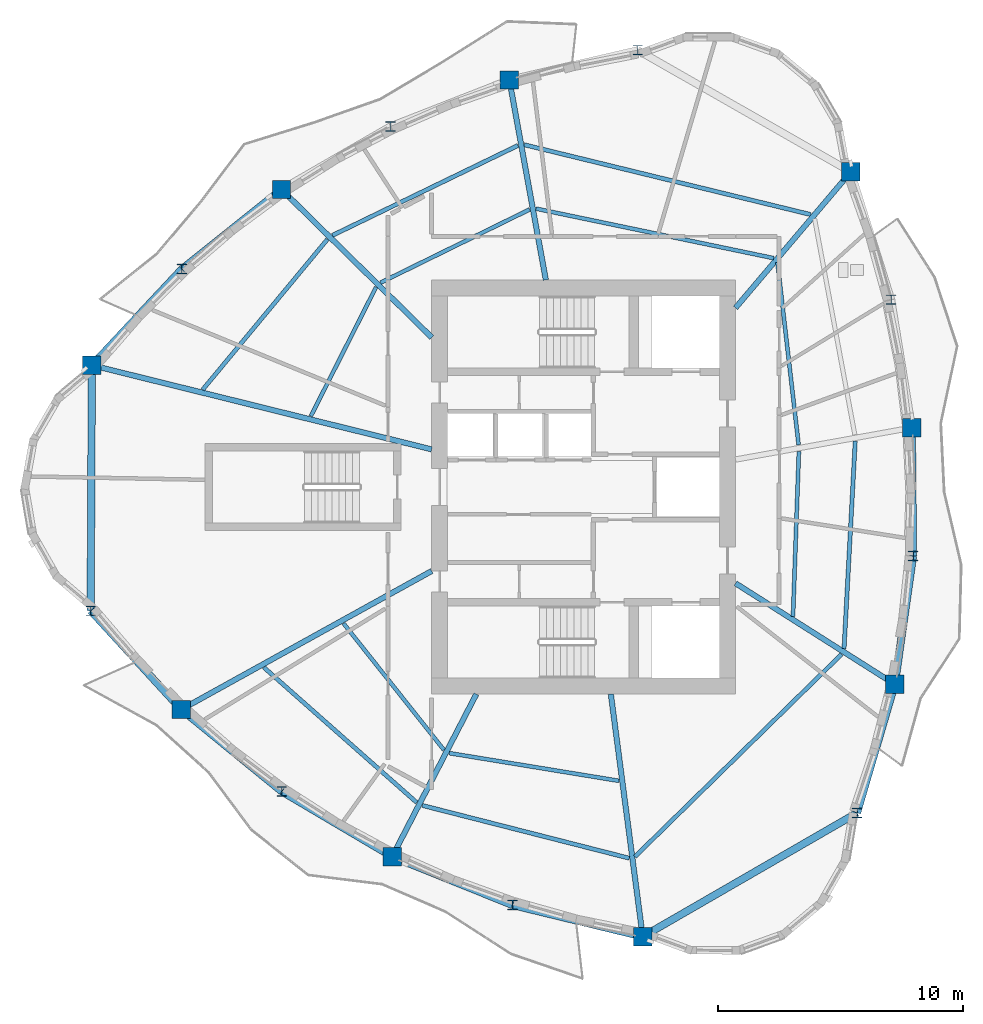
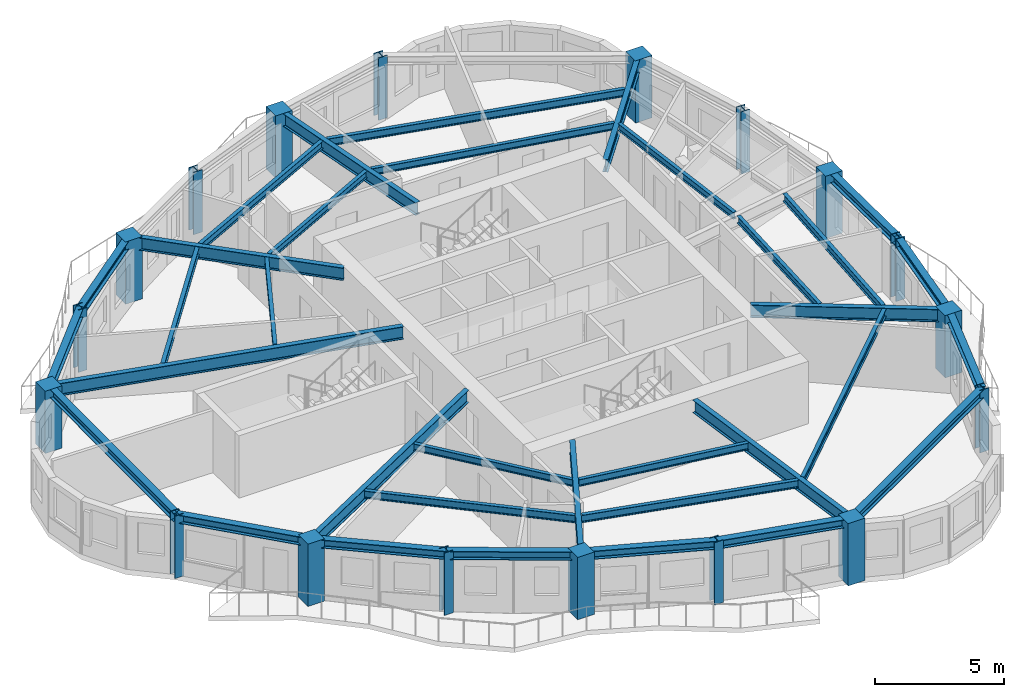
# One storey, part 1 of 12: 34 beams, 18 columns.
"""IFC4 building model written with IfcOpenShell, lengths in metres."""

from ifc_helpers import new_model, si_unit, direction, frame, origin, origin_2d, place, context, subcontext, project, spatial, rectangle, i_section, extrude, source, transform, mapped, material, material_profile, profile_set, type_object, element, save


model = new_model("IFC4")

# Units and contexts
model_context = context("Model", 3, precision=1e-05, world=origin(), true_north=direction((0.0, 1.0)))
body_context = subcontext(model_context, "Body", "Model", "MODEL_VIEW")
ifc_project = project(units=[si_unit("LENGTHUNIT", "METRE"), si_unit("AREAUNIT", "SQUARE_METRE"), si_unit("VOLUMEUNIT", "CUBIC_METRE"), si_unit("PLANEANGLEUNIT", "RADIAN"), si_unit("MASSUNIT", "GRAM", prefix="KILO")], contexts=[model_context])

# Site, building, storey
site_placement = place(None, origin())
site = spatial("IfcSite", under=ifc_project, at=site_placement, CompositionType="ELEMENT")
building_placement = place(site_placement, origin())
building = spatial("IfcBuilding", under=site, at=building_placement, Name="Qafzar Sky-Pleat Residences", CompositionType="ELEMENT")
storey_placement = place(building_placement, frame((0.0, 0.0, 177.800048828125)))
storey = spatial("IfcBuildingStorey", under=building, at=storey_placement, Name="L53", CompositionType="ELEMENT", Elevation=177.800048828125)

# Columns
ifc_material_1 = material(Name="Concrete C60/75", Category="concrete")
ifc_material_profile_1 = material_profile(ifc_material_1, rectangle(XDim=0.75, YDim=0.75, at=origin_2d()), Name="RC 750x750")
ifc_profile_set_1 = profile_set([ifc_material_profile_1], Name="Concrete C60/75")
column_type_1 = type_object("IfcColumnType", Name="COL-RC-750", PredefinedType="COLUMN", material=ifc_profile_set_1)
shared_shape_1 = source(origin(), body_context, "Body", "SweptSolid", [
    extrude(rectangle(XDim=0.75, YDim=0.75, at=origin_2d()), origin(), (0.0, 0.0, 1.0), 2.949951171875),
])
for number, where, z_axis, x_axis, name in (
    (1, (10.283203125, 30.967041015625, 0.0), (0.0, 0.0, 1.0), (1.0, 0.0, 0.0), "L53 Perimeter Mega Column 1"),
    (2, (13.931640625, 16.920166015625, 0.0), (0.0, 0.0, 1.0), (1.0, 0.0, 0.0), "L53 Perimeter Mega Column 3"),
    (3, (22.5380859375, 10.91552734375, 0.0), (0.0, 0.0, 1.0), (1.0, 0.0, 0.0), "L53 Perimeter Mega Column 5"),
    (4, (32.761962890625, 7.650390625, 0.0), (0.0, 0.0, 1.0), (1.0, 0.0, 0.0), "L53 Perimeter Mega Column 7"),
    (5, (43.050048828125, 17.948486328125, 0.0), (0.0, 0.0, 1.0), (1.0, 0.0, 0.0), "L53 Perimeter Mega Column 9"),
    (6, (43.74365234375, 28.419677734375, 0.0), (0.0, 0.0, 1.0), (1.0, 0.0, 0.0), "L53 Perimeter Mega Column 11"),
    (7, (41.25634765625, 38.860107421875, 0.0), (0.0, 0.0, 1.0), (1.0, 0.0, 0.0), "L53 Perimeter Mega Column 13"),
    (8, (27.320068359375, 42.60888671875, 0.0), (0.0, 0.0, 1.0), (1.0, 0.0, 0.0), "L53 Perimeter Mega Column 15"),
    (9, (18.02001953125, 38.142333984375, 0.0), (0.0, 0.0, 1.0), (1.0, 0.0, 0.0), "L53 Perimeter Mega Column 17"),
):
    element("IfcColumn", number, at=place(storey_placement, frame(where, z_axis=z_axis, x_axis=x_axis)), inside=storey, type_object=column_type_1, Name=name, PredefinedType="COLUMN", context=body_context, shape_type="MappedRepresentation", body=[
        mapped(shared_shape_1, transform((0.0, 0.0, 0.0), x_axis=(1.0, 0.0, 0.0), y_axis=(0.0, 1.0, 0.0), z_axis=(0.0, 0.0, 1.0), scale=1.0)),
    ])
ifc_material_2 = material(Name="Steel S355", Category="steel")
ifc_material_profile_2 = material_profile(ifc_material_2, i_section(OverallWidth=0.40087890625, OverallDepth=0.39892578125, WebThickness=0.02294921875, FlangeThickness=0.035888671875, FilletRadius=0.014892578125, at=origin_2d()), Name="HD 400x314")
ifc_profile_set_2 = profile_set([ifc_material_profile_2], Name="Steel S355")
column_type_2 = type_object("IfcColumnType", Name="COL-STL-HD314", PredefinedType="PILASTER", material=ifc_profile_set_2)
shared_shape_2 = source(origin(), body_context, "Body", "SweptSolid", [
    extrude(i_section(OverallWidth=0.40087890625, OverallDepth=0.39892578125, WebThickness=0.02294921875, FlangeThickness=0.035888671875, FilletRadius=0.014892578125, at=origin_2d()), origin(), (0.0, 0.0, 1.0), 2.949951171875),
])
for number, where, z_axis, x_axis, name in (
    (10, (10.234619140625, 20.94970703125, 0.0), (0.0, 0.0, 1.0), (1.0, 0.0, 0.0), "L53 Perimeter Mega Column 2"),
    (11, (18.03271484375, 13.575439453125, 0.0), (0.0, 0.0, 1.0), (1.0, 0.0, 0.0), "L53 Perimeter Mega Column 4"),
    (12, (27.447998046875, 8.940673828125, 0.0), (0.0, 0.0, 1.0), (1.0, 0.0, 0.0), "L53 Perimeter Mega Column 6"),
    (13, (41.51025390625, 12.701171875, 0.0), (0.0, 0.0, 1.0), (1.0, 0.0, 0.0), "L53 Perimeter Mega Column 8"),
    (14, (43.79443359375, 23.18798828125, 0.0), (0.0, 0.0, 1.0), (1.0, 0.0, 0.0), "L53 Perimeter Mega Column 10"),
    (15, (42.897705078125, 33.643798828125, 0.0), (0.0, 0.0, 1.0), (1.0, 0.0, 0.0), "L53 Perimeter Mega Column 12"),
    (16, (32.556640625, 43.82666015625, 0.0), (0.0, 0.0, 1.0), (1.0, 0.0, 0.0), "L53 Perimeter Mega Column 14"),
    (17, (22.474609375, 40.714111328125, 0.0), (0.0, 0.0, 1.0), (1.0, 0.0, 0.0), "L53 Perimeter Mega Column 16"),
    (18, (13.9560546875, 34.893310546875, 0.0), (0.0, 0.0, 1.0), (1.0, 0.0, 0.0), "L53 Perimeter Mega Column 18"),
):
    element("IfcColumn", number, at=place(storey_placement, frame(where, z_axis=z_axis, x_axis=x_axis)), inside=storey, type_object=column_type_2, Name=name, PredefinedType="PILASTER", context=body_context, shape_type="MappedRepresentation", body=[
        mapped(shared_shape_2, transform((0.0, 0.0, 0.0), x_axis=(1.0, 0.0, 0.0), y_axis=(0.0, 1.0, 0.0), z_axis=(0.0, 0.0, 1.0), scale=1.0)),
    ])

# Beams
ifc_material_profile_3 = material_profile(ifc_material_2, i_section(OverallWidth=0.300048828125, OverallDepth=0.39990234375, WebThickness=0.013427734375, FlangeThickness=0.02392578125, FilletRadius=0.027099609375, at=origin_2d()), Name="HEB 400")
ifc_profile_set_3 = profile_set([ifc_material_profile_3], Name="Steel S355")
beam_type_1 = type_object("IfcBeamType", Name="BM-SPAN-HEB400", PredefinedType="SPANDREL", material=ifc_profile_set_3)
shared_shape_3 = source(origin(), body_context, "Body", "SweptSolid", [
    extrude(i_section(OverallWidth=0.300048828125, OverallDepth=0.39990234375, WebThickness=0.013427734375, FlangeThickness=0.02392578125, FilletRadius=0.027099609375, at=origin_2d()), origin(), (0.0, 0.0, 1.0), 10.1015625),
])
beam_1_placement = place(storey_placement, frame((32.761962890625, 7.650390625, 2.748046875), z_axis=(0.866027415153, 0.499996516191, 0.0), x_axis=(-0.499996516191, 0.866027415153, 0.0)))
element("IfcBeam", 19, at=beam_1_placement, inside=storey, type_object=beam_type_1, Name="L53 Perimeter Spandrel Beam 7", PredefinedType="SPANDREL", context=body_context, shape_type="MappedRepresentation", body=[
    mapped(shared_shape_3, transform((0.0, 0.0, 0.0), x_axis=(1.0, 0.0, 0.0), y_axis=(0.0, 1.0, 0.0), z_axis=(0.0, 0.0, 1.0), scale=1.0)),
])
shared_shape_4 = source(origin(), body_context, "Body", "SweptSolid", [
    extrude(i_section(OverallWidth=0.300048828125, OverallDepth=0.39990234375, WebThickness=0.013427734375, FlangeThickness=0.02392578125, FilletRadius=0.027099609375, at=origin_2d()), origin(), (0.0, 0.0, 1.0), 10.017333984375),
])
beam_2_placement = place(storey_placement, frame((10.283203125, 30.967041015625, 2.748046875), z_axis=(-0.004849934429, -0.999988238999, 0.0), x_axis=(0.999988238999, -0.004849934429, 0.0)))
element("IfcBeam", 20, at=beam_2_placement, inside=storey, type_object=beam_type_1, Name="L53 Perimeter Spandrel Beam 1", PredefinedType="SPANDREL", context=body_context, shape_type="MappedRepresentation", body=[
    mapped(shared_shape_4, transform((0.0, 0.0, 0.0), x_axis=(1.0, 0.0, 0.0), y_axis=(0.0, 1.0, 0.0), z_axis=(0.0, 0.0, 1.0), scale=1.0)),
])
shared_shape_5 = source(origin(), body_context, "Body", "SweptSolid", [
    extrude(i_section(OverallWidth=0.300048828125, OverallDepth=0.39990234375, WebThickness=0.013427734375, FlangeThickness=0.02392578125, FilletRadius=0.027099609375, at=origin_2d()), origin(), (0.0, 0.0, 1.0), 5.468505859375),
])
for number, where, z_axis, x_axis, name in (
    (21, (10.234619140625, 20.94970703125, 2.748046875), (0.676050045545, -0.736855709022, 0.0), (0.736855709022, 0.676050045545, 0.0), "L53 Perimeter Spandrel Beam 2"),
    (22, (41.51025390625, 12.701171875, 2.748046875), (0.281571675808, 0.959540197898, 0.0), (-0.959540197898, 0.281571675808, 0.0), "L53 Perimeter Spandrel Beam 8"),
):
    element("IfcBeam", number, at=place(storey_placement, frame(where, z_axis=z_axis, x_axis=x_axis)), inside=storey, type_object=beam_type_1, Name=name, PredefinedType="SPANDREL", context=body_context, shape_type="MappedRepresentation", body=[
        mapped(shared_shape_5, transform((0.0, 0.0, 0.0), x_axis=(1.0, 0.0, 0.0), y_axis=(0.0, 1.0, 0.0), z_axis=(0.0, 0.0, 1.0), scale=1.0)),
    ])
shared_shape_6 = source(origin(), body_context, "Body", "SweptSolid", [
    extrude(i_section(OverallWidth=0.300048828125, OverallDepth=0.39990234375, WebThickness=0.013427734375, FlangeThickness=0.02392578125, FilletRadius=0.027099609375, at=origin_2d()), origin(), (0.0, 0.0, 1.0), 5.2919921875),
])
beam_3_placement = place(storey_placement, frame((13.931640625, 16.920166015625, 2.748046875), z_axis=(0.774947075878, -0.632026130463, 0.0), x_axis=(0.632026130463, 0.774947075878, 0.0)))
element("IfcBeam", 23, at=beam_3_placement, inside=storey, type_object=beam_type_1, Name="L53 Perimeter Spandrel Beam 3", PredefinedType="SPANDREL", context=body_context, shape_type="MappedRepresentation", body=[
    mapped(shared_shape_6, transform((0.0, 0.0, 0.0), x_axis=(1.0, 0.0, 0.0), y_axis=(0.0, 1.0, 0.0), z_axis=(0.0, 0.0, 1.0), scale=1.0)),
])
shared_shape_7 = source(origin(), body_context, "Body", "SweptSolid", [
    extrude(i_section(OverallWidth=0.300048828125, OverallDepth=0.39990234375, WebThickness=0.013427734375, FlangeThickness=0.02392578125, FilletRadius=0.027099609375, at=origin_2d()), origin(), (0.0, 0.0, 1.0), 5.23193359375),
])
for number, where, z_axis, x_axis, name in (
    (24, (18.03271484375, 13.575439453125, 2.748046875), (0.861123406865, -0.508395985575, 0.0), (0.508395985575, 0.861123406865, 0.0), "L53 Perimeter Spandrel Beam 4"),
    (25, (43.79443359375, 23.18798828125, 2.748046875), (-0.009706015319, 0.999952895524, 0.0), (-0.999952895524, -0.009706015319, 0.0), "L53 Perimeter Spandrel Beam 10"),
):
    element("IfcBeam", number, at=place(storey_placement, frame(where, z_axis=z_axis, x_axis=x_axis)), inside=storey, type_object=beam_type_1, Name=name, PredefinedType="SPANDREL", context=body_context, shape_type="MappedRepresentation", body=[
        mapped(shared_shape_7, transform((0.0, 0.0, 0.0), x_axis=(1.0, 0.0, 0.0), y_axis=(0.0, 1.0, 0.0), z_axis=(0.0, 0.0, 1.0), scale=1.0)),
    ])
shared_shape_8 = source(origin(), body_context, "Body", "SweptSolid", [
    extrude(i_section(OverallWidth=0.300048828125, OverallDepth=0.39990234375, WebThickness=0.013427734375, FlangeThickness=0.02392578125, FilletRadius=0.027099609375, at=origin_2d()), origin(), (0.0, 0.0, 1.0), 5.292236328125),
])
for number, where, z_axis, x_axis, name in (
    (26, (22.5380859375, 10.91552734375, 2.748046875), (0.927765514631, -0.373163703836, 0.0), (0.373163703836, 0.927765514631, 0.0), "L53 Perimeter Spandrel Beam 5"),
    (27, (43.050048828125, 17.948486328125, 2.748046875), (0.140659198893, 0.990058073937, 0.0), (-0.990058073937, 0.140659198893, 0.0), "L53 Perimeter Spandrel Beam 9"),
):
    element("IfcBeam", number, at=place(storey_placement, frame(where, z_axis=z_axis, x_axis=x_axis)), inside=storey, type_object=beam_type_1, Name=name, PredefinedType="SPANDREL", context=body_context, shape_type="MappedRepresentation", body=[
        mapped(shared_shape_8, transform((0.0, 0.0, 0.0), x_axis=(1.0, 0.0, 0.0), y_axis=(0.0, 1.0, 0.0), z_axis=(0.0, 0.0, 1.0), scale=1.0)),
    ])
shared_shape_9 = source(origin(), body_context, "Body", "SweptSolid", [
    extrude(i_section(OverallWidth=0.300048828125, OverallDepth=0.39990234375, WebThickness=0.013427734375, FlangeThickness=0.02392578125, FilletRadius=0.027099609375, at=origin_2d()), origin(), (0.0, 0.0, 1.0), 5.46826171875),
])
beam_4_placement = place(storey_placement, frame((27.447998046875, 8.940673828125, 2.748046875), z_axis=(0.971764234229, -0.235953963884, 0.0), x_axis=(0.235953963884, 0.971764234229, 0.0)))
element("IfcBeam", 28, at=beam_4_placement, inside=storey, type_object=beam_type_1, Name="L53 Perimeter Spandrel Beam 6", PredefinedType="SPANDREL", context=body_context, shape_type="MappedRepresentation", body=[
    mapped(shared_shape_9, transform((0.0, 0.0, 0.0), x_axis=(1.0, 0.0, 0.0), y_axis=(0.0, 1.0, 0.0), z_axis=(0.0, 0.0, 1.0), scale=1.0)),
])
shared_shape_10 = source(origin(), body_context, "Body", "SweptSolid", [
    extrude(i_section(OverallWidth=0.300048828125, OverallDepth=0.39990234375, WebThickness=0.013427734375, FlangeThickness=0.02392578125, FilletRadius=0.027099609375, at=origin_2d()), origin(), (0.0, 0.0, 1.0), 5.203125),
])
beam_5_placement = place(storey_placement, frame((18.02001953125, 38.142333984375, 2.748046875), z_axis=(-0.781070191817, -0.624443236375, 0.0), x_axis=(0.624443236375, -0.781070191817, 0.0)))
element("IfcBeam", 29, at=beam_5_placement, inside=storey, type_object=beam_type_1, Name="L53 Perimeter Spandrel Beam 17", PredefinedType="SPANDREL", context=body_context, shape_type="MappedRepresentation", body=[
    mapped(shared_shape_10, transform((0.0, 0.0, 0.0), x_axis=(1.0, 0.0, 0.0), y_axis=(0.0, 1.0, 0.0), z_axis=(0.0, 0.0, 1.0), scale=1.0)),
])
shared_shape_11 = source(origin(), body_context, "Body", "SweptSolid", [
    extrude(i_section(OverallWidth=0.300048828125, OverallDepth=0.39990234375, WebThickness=0.013427734375, FlangeThickness=0.02392578125, FilletRadius=0.027099609375, at=origin_2d()), origin(), (0.0, 0.0, 1.0), 5.37646484375),
])
beam_6_placement = place(storey_placement, frame((13.9560546875, 34.893310546875, 2.748046875), z_axis=(-0.683146192025, -0.730281644519, 0.0), x_axis=(0.730281644519, -0.683146192025, 0.0)))
element("IfcBeam", 30, at=beam_6_placement, inside=storey, type_object=beam_type_1, Name="L53 Perimeter Spandrel Beam 18", PredefinedType="SPANDREL", context=body_context, shape_type="MappedRepresentation", body=[
    mapped(shared_shape_11, transform((0.0, 0.0, 0.0), x_axis=(1.0, 0.0, 0.0), y_axis=(0.0, 1.0, 0.0), z_axis=(0.0, 0.0, 1.0), scale=1.0)),
])
ifc_material_profile_4 = material_profile(ifc_material_2, i_section(OverallWidth=0.219970703125, OverallDepth=0.60009765625, WebThickness=0.011962890625, FlangeThickness=0.01904296875, FilletRadius=0.02392578125, at=origin_2d()), Name="IPE 600")
ifc_profile_set_4 = profile_set([ifc_material_profile_4], Name="Steel S355")
beam_type_2 = type_object("IfcBeamType", Name="BM-SEC-IPE600", PredefinedType="BEAM", material=ifc_profile_set_4)
shared_shape_12 = source(origin(), body_context, "Body", "SweptSolid", [
    extrude(i_section(OverallWidth=0.219970703125, OverallDepth=0.60009765625, WebThickness=0.011962890625, FlangeThickness=0.01904296875, FilletRadius=0.02392578125, at=origin_2d()), origin(), (0.0, 0.0, 1.0), 14.28515625),
])
beam_7_placement = place(storey_placement, frame((10.283203125, 30.967041015625, 2.64794921875), z_axis=(0.97070485886, -0.24027500283, 0.0), x_axis=(0.24027500283, 0.97070485886, 0.0)))
element("IfcBeam", 31, at=beam_7_placement, inside=storey, type_object=beam_type_2, Name="L53 Radial Floor Girder 1", PredefinedType="BEAM", context=body_context, shape_type="MappedRepresentation", body=[
    mapped(shared_shape_12, transform((0.0, 0.0, 0.0), x_axis=(1.0, 0.0, 0.0), y_axis=(0.0, 1.0, 0.0), z_axis=(0.0, 0.0, 1.0), scale=1.0)),
])
shared_shape_13 = source(origin(), body_context, "Body", "SweptSolid", [
    extrude(i_section(OverallWidth=0.219970703125, OverallDepth=0.60009765625, WebThickness=0.011962890625, FlangeThickness=0.01904296875, FilletRadius=0.02392578125, at=origin_2d()), origin(), (0.0, 0.0, 1.0), 11.6767578125),
])
beam_8_placement = place(storey_placement, frame((13.931640625, 16.920166015625, 2.64794921875), z_axis=(0.875089622608, 0.483960899664, 0.0), x_axis=(-0.483960899664, 0.875089622608, 0.0)))
element("IfcBeam", 32, at=beam_8_placement, inside=storey, type_object=beam_type_2, Name="L53 Radial Floor Girder 3", PredefinedType="BEAM", context=body_context, shape_type="MappedRepresentation", body=[
    mapped(shared_shape_13, transform((0.0, 0.0, 0.0), x_axis=(1.0, 0.0, 0.0), y_axis=(0.0, 1.0, 0.0), z_axis=(0.0, 0.0, 1.0), scale=1.0)),
])
shared_shape_14 = source(origin(), body_context, "Body", "SweptSolid", [
    extrude(i_section(OverallWidth=0.219970703125, OverallDepth=0.60009765625, WebThickness=0.011962890625, FlangeThickness=0.01904296875, FilletRadius=0.02392578125, at=origin_2d()), origin(), (0.0, 0.0, 1.0), 7.471435546875),
])
beam_9_placement = place(storey_placement, frame((22.5380859375, 10.91552734375, 2.64794921875), z_axis=(0.459885995206, 0.887977967865, 0.0), x_axis=(-0.887977967865, 0.459885995206, 0.0)))
element("IfcBeam", 33, at=beam_9_placement, inside=storey, type_object=beam_type_2, Name="L53 Radial Floor Girder 5", PredefinedType="BEAM", context=body_context, shape_type="MappedRepresentation", body=[
    mapped(shared_shape_14, transform((0.0, 0.0, 0.0), x_axis=(1.0, 0.0, 0.0), y_axis=(0.0, 1.0, 0.0), z_axis=(0.0, 0.0, 1.0), scale=1.0)),
])
shared_shape_15 = source(origin(), body_context, "Body", "SweptSolid", [
    extrude(i_section(OverallWidth=0.219970703125, OverallDepth=0.60009765625, WebThickness=0.011962890625, FlangeThickness=0.01904296875, FilletRadius=0.02392578125, at=origin_2d()), origin(), (0.0, 0.0, 1.0), 9.98486328125),
])
beam_10_placement = place(storey_placement, frame((32.761962890625, 7.650390625, 2.64794921875), z_axis=(-0.13032484857, 0.99147134797, 0.0), x_axis=(-0.99147134797, -0.13032484857, 0.0)))
element("IfcBeam", 34, at=beam_10_placement, inside=storey, type_object=beam_type_2, Name="L53 Radial Floor Girder 7", PredefinedType="BEAM", context=body_context, shape_type="MappedRepresentation", body=[
    mapped(shared_shape_15, transform((0.0, 0.0, 0.0), x_axis=(1.0, 0.0, 0.0), y_axis=(0.0, 1.0, 0.0), z_axis=(0.0, 0.0, 1.0), scale=1.0)),
])
shared_shape_16 = source(origin(), body_context, "Body", "SweptSolid", [
    extrude(i_section(OverallWidth=0.219970703125, OverallDepth=0.60009765625, WebThickness=0.011962890625, FlangeThickness=0.01904296875, FilletRadius=0.02392578125, at=origin_2d()), origin(), (0.0, 0.0, 1.0), 7.6962890625),
])
beam_11_placement = place(storey_placement, frame((43.050048828125, 17.948486328125, 2.64794921875), z_axis=(-0.844573308828, 0.535439936888, 0.0), x_axis=(-0.535439936888, -0.844573308828, 0.0)))
element("IfcBeam", 35, at=beam_11_placement, inside=storey, type_object=beam_type_2, Name="L53 Radial Floor Girder 9", PredefinedType="BEAM", context=body_context, shape_type="MappedRepresentation", body=[
    mapped(shared_shape_16, transform((0.0, 0.0, 0.0), x_axis=(1.0, 0.0, 0.0), y_axis=(0.0, 1.0, 0.0), z_axis=(0.0, 0.0, 1.0), scale=1.0)),
])
shared_shape_17 = source(origin(), body_context, "Body", "SweptSolid", [
    extrude(i_section(OverallWidth=0.219970703125, OverallDepth=0.60009765625, WebThickness=0.011962890625, FlangeThickness=0.01904296875, FilletRadius=0.02392578125, at=origin_2d()), origin(), (0.0, 0.0, 1.0), 7.2763671875),
])
beam_12_placement = place(storey_placement, frame((41.25634765625, 38.860107421875, 2.64794921875), z_axis=(-0.64678412208, -0.76267312751, 0.0), x_axis=(0.76267312751, -0.64678412208, 0.0)))
element("IfcBeam", 36, at=beam_12_placement, inside=storey, type_object=beam_type_2, Name="L53 Radial Floor Girder 13", PredefinedType="BEAM", context=body_context, shape_type="MappedRepresentation", body=[
    mapped(shared_shape_17, transform((0.0, 0.0, 0.0), x_axis=(1.0, 0.0, 0.0), y_axis=(0.0, 1.0, 0.0), z_axis=(0.0, 0.0, 1.0), scale=1.0)),
])
shared_shape_18 = source(origin(), body_context, "Body", "SweptSolid", [
    extrude(i_section(OverallWidth=0.219970703125, OverallDepth=0.60009765625, WebThickness=0.011962890625, FlangeThickness=0.01904296875, FilletRadius=0.02392578125, at=origin_2d()), origin(), (0.0, 0.0, 1.0), 8.293701171875),
])
beam_13_placement = place(storey_placement, frame((27.320068359375, 42.60888671875, 2.64794921875), z_axis=(0.17947862419, -0.983761873351, 0.0), x_axis=(0.983761873351, 0.17947862419, 0.0)))
element("IfcBeam", 37, at=beam_13_placement, inside=storey, type_object=beam_type_2, Name="L53 Radial Floor Girder 15", PredefinedType="BEAM", context=body_context, shape_type="MappedRepresentation", body=[
    mapped(shared_shape_18, transform((0.0, 0.0, 0.0), x_axis=(1.0, 0.0, 0.0), y_axis=(0.0, 1.0, 0.0), z_axis=(0.0, 0.0, 1.0), scale=1.0)),
])
shared_shape_19 = source(origin(), body_context, "Body", "SweptSolid", [
    extrude(i_section(OverallWidth=0.219970703125, OverallDepth=0.60009765625, WebThickness=0.011962890625, FlangeThickness=0.01904296875, FilletRadius=0.02392578125, at=origin_2d()), origin(), (0.0, 0.0, 1.0), 8.603271484375),
])
beam_14_placement = place(storey_placement, frame((18.02001953125, 38.142333984375, 2.64794921875), z_axis=(0.712506139555, -0.701665875682, 0.0), x_axis=(0.701665875682, 0.712506139555, 0.0)))
element("IfcBeam", 38, at=beam_14_placement, inside=storey, type_object=beam_type_2, Name="L53 Radial Floor Girder 17", PredefinedType="BEAM", context=body_context, shape_type="MappedRepresentation", body=[
    mapped(shared_shape_19, transform((0.0, 0.0, 0.0), x_axis=(1.0, 0.0, 0.0), y_axis=(0.0, 1.0, 0.0), z_axis=(0.0, 0.0, 1.0), scale=1.0)),
])
ifc_material_profile_5 = material_profile(ifc_material_2, i_section(OverallWidth=0.169921875, OverallDepth=0.360107421875, WebThickness=0.008056640625, FlangeThickness=0.0126953125, FilletRadius=0.01806640625, at=origin_2d()), Name="IPE 360")
ifc_profile_set_5 = profile_set([ifc_material_profile_5], Name="Steel S355")
beam_type_3 = type_object("IfcBeamType", Name="BM-JST-IPE360", PredefinedType="JOIST", material=ifc_profile_set_5)
shared_shape_20 = source(origin(), body_context, "Body", "SweptSolid", [
    extrude(i_section(OverallWidth=0.169921875, OverallDepth=0.360107421875, WebThickness=0.008056640625, FlangeThickness=0.0126953125, FilletRadius=0.01806640625, at=origin_2d()), origin(), (0.0, 0.0, 1.0), 8.32080078125),
])
beam_15_placement = place(storey_placement, frame((17.302490234375, 18.638916015625, 2.76806640625), z_axis=(0.749224453308, -0.662316177189, 0.0), x_axis=(0.662316177189, 0.749224453308, 0.0)))
element("IfcBeam", 39, at=beam_15_placement, inside=storey, type_object=beam_type_3, Name="L53 Outer Secondary Floor Joist 2", PredefinedType="JOIST", context=body_context, shape_type="MappedRepresentation", body=[
    mapped(shared_shape_20, transform((0.0, 0.0, 0.0), x_axis=(1.0, 0.0, 0.0), y_axis=(0.0, 1.0, 0.0), z_axis=(0.0, 0.0, 1.0), scale=1.0)),
])
shared_shape_21 = source(origin(), body_context, "Body", "SweptSolid", [
    extrude(i_section(OverallWidth=0.169921875, OverallDepth=0.360107421875, WebThickness=0.008056640625, FlangeThickness=0.0126953125, FilletRadius=0.01806640625, at=origin_2d()), origin(), (0.0, 0.0, 1.0), 8.71630859375),
])
beam_16_placement = place(storey_placement, frame((23.7685546875, 13.00537109375, 2.76806640625), z_axis=(0.968989948873, -0.247100139585, 0.0), x_axis=(0.247100139585, 0.968989948873, 0.0)))
element("IfcBeam", 40, at=beam_16_placement, inside=storey, type_object=beam_type_3, Name="L53 Outer Secondary Floor Joist 3", PredefinedType="JOIST", context=body_context, shape_type="MappedRepresentation", body=[
    mapped(shared_shape_21, transform((0.0, 0.0, 0.0), x_axis=(1.0, 0.0, 0.0), y_axis=(0.0, 1.0, 0.0), z_axis=(0.0, 0.0, 1.0), scale=1.0)),
])
shared_shape_22 = source(origin(), body_context, "Body", "SweptSolid", [
    extrude(i_section(OverallWidth=0.169921875, OverallDepth=0.360107421875, WebThickness=0.008056640625, FlangeThickness=0.0126953125, FilletRadius=0.01806640625, at=origin_2d()), origin(), (0.0, 0.0, 1.0), 11.803466796875),
])
beam_17_placement = place(storey_placement, frame((32.44189453125, 10.91259765625, 2.76806640625), z_axis=(0.714339800736, 0.699799006205, 0.0), x_axis=(-0.699799006205, 0.714339800736, 0.0)))
element("IfcBeam", 41, at=beam_17_placement, inside=storey, type_object=beam_type_3, Name="L53 Outer Secondary Floor Joist 4", PredefinedType="JOIST", context=body_context, shape_type="MappedRepresentation", body=[
    mapped(shared_shape_22, transform((0.0, 0.0, 0.0), x_axis=(1.0, 0.0, 0.0), y_axis=(0.0, 1.0, 0.0), z_axis=(0.0, 0.0, 1.0), scale=1.0)),
])
shared_shape_23 = source(origin(), body_context, "Body", "SweptSolid", [
    extrude(i_section(OverallWidth=0.169921875, OverallDepth=0.360107421875, WebThickness=0.008056640625, FlangeThickness=0.0126953125, FilletRadius=0.01806640625, at=origin_2d()), origin(), (0.0, 0.0, 1.0), 8.479248046875),
])
beam_18_placement = place(storey_placement, frame((40.977294921875, 19.40185546875, 2.76806640625), z_axis=(0.053899219297, 0.998546380575, 0.0), x_axis=(-0.998546380575, 0.053899219297, 0.0)))
element("IfcBeam", 42, at=beam_18_placement, inside=storey, type_object=beam_type_3, Name="L53 Outer Secondary Floor Joist 5", PredefinedType="JOIST", context=body_context, shape_type="MappedRepresentation", body=[
    mapped(shared_shape_23, transform((0.0, 0.0, 0.0), x_axis=(1.0, 0.0, 0.0), y_axis=(0.0, 1.0, 0.0), z_axis=(0.0, 0.0, 1.0), scale=1.0)),
])
shared_shape_24 = source(origin(), body_context, "Body", "SweptSolid", [
    extrude(i_section(OverallWidth=0.169921875, OverallDepth=0.360107421875, WebThickness=0.008056640625, FlangeThickness=0.0126953125, FilletRadius=0.01806640625, at=origin_2d()), origin(), (0.0, 0.0, 1.0), 12.033935546875),
])
beam_19_placement = place(storey_placement, frame((39.619140625, 37.1162109375, 2.76806640625), z_axis=(-0.971554160577, 0.23681746782, 0.0), x_axis=(-0.23681746782, -0.971554160577, 0.0)))
element("IfcBeam", 43, at=beam_19_placement, inside=storey, type_object=beam_type_3, Name="L53 Outer Secondary Floor Joist 7", PredefinedType="JOIST", context=body_context, shape_type="MappedRepresentation", body=[
    mapped(shared_shape_24, transform((0.0, 0.0, 0.0), x_axis=(1.0, 0.0, 0.0), y_axis=(0.0, 1.0, 0.0), z_axis=(0.0, 0.0, 1.0), scale=1.0)),
])
shared_shape_25 = source(origin(), body_context, "Body", "SweptSolid", [
    extrude(i_section(OverallWidth=0.169921875, OverallDepth=0.360107421875, WebThickness=0.008056640625, FlangeThickness=0.0126953125, FilletRadius=0.01806640625, at=origin_2d()), origin(), (0.0, 0.0, 1.0), 8.414306640625),
])
beam_20_placement = place(storey_placement, frame((27.6748046875, 39.939208984375, 2.76806640625), z_axis=(-0.89987208616, -0.436153904661, 0.0), x_axis=(0.436153904661, -0.89987208616, 0.0)))
element("IfcBeam", 44, at=beam_20_placement, inside=storey, type_object=beam_type_3, Name="L53 Outer Secondary Floor Joist 8", PredefinedType="JOIST", context=body_context, shape_type="MappedRepresentation", body=[
    mapped(shared_shape_25, transform((0.0, 0.0, 0.0), x_axis=(1.0, 0.0, 0.0), y_axis=(0.0, 1.0, 0.0), z_axis=(0.0, 0.0, 1.0), scale=1.0)),
])
shared_shape_26 = source(origin(), body_context, "Body", "SweptSolid", [
    extrude(i_section(OverallWidth=0.169921875, OverallDepth=0.360107421875, WebThickness=0.008056640625, FlangeThickness=0.0126953125, FilletRadius=0.01806640625, at=origin_2d()), origin(), (0.0, 0.0, 1.0), 7.9697265625),
])
beam_21_placement = place(storey_placement, frame((19.895263671875, 36.106689453125, 2.76806640625), z_axis=(-0.638456278061, -0.769658093574, 0.0), x_axis=(0.769658093574, -0.638456278061, 0.0)))
element("IfcBeam", 45, at=beam_21_placement, inside=storey, type_object=beam_type_3, Name="L53 Outer Secondary Floor Joist 9", PredefinedType="JOIST", context=body_context, shape_type="MappedRepresentation", body=[
    mapped(shared_shape_26, transform((0.0, 0.0, 0.0), x_axis=(1.0, 0.0, 0.0), y_axis=(0.0, 1.0, 0.0), z_axis=(0.0, 0.0, 1.0), scale=1.0)),
])
ifc_material_profile_6 = material_profile(ifc_material_2, i_section(OverallWidth=0.159912109375, OverallDepth=0.330078125, WebThickness=0.007568359375, FlangeThickness=0.011474609375, FilletRadius=0.01806640625, at=origin_2d()), Name="IPE 330")
ifc_profile_set_6 = profile_set([ifc_material_profile_6], Name="Steel S355")
beam_type_4 = type_object("IfcBeamType", Name="BM-JST-IPE330", PredefinedType="JOIST", material=ifc_profile_set_6)
shared_shape_27 = source(origin(), body_context, "Body", "SweptSolid", [
    extrude(i_section(OverallWidth=0.159912109375, OverallDepth=0.330078125, WebThickness=0.007568359375, FlangeThickness=0.011474609375, FilletRadius=0.01806640625, at=origin_2d()), origin(), (0.0, 0.0, 1.0), 6.59228515625),
])
beam_22_placement = place(storey_placement, frame((20.555419921875, 20.43115234375, 2.782958984375), z_axis=(0.621623595357, -0.783316095644, 0.0), x_axis=(0.783316095644, 0.621623595357, 0.0)))
element("IfcBeam", 46, at=beam_22_placement, inside=storey, type_object=beam_type_4, Name="L53 Inner Secondary Floor Joist 2", PredefinedType="JOIST", context=body_context, shape_type="MappedRepresentation", body=[
    mapped(shared_shape_27, transform((0.0, 0.0, 0.0), x_axis=(1.0, 0.0, 0.0), y_axis=(0.0, 1.0, 0.0), z_axis=(0.0, 0.0, 1.0), scale=1.0)),
])
shared_shape_28 = source(origin(), body_context, "Body", "SweptSolid", [
    extrude(i_section(OverallWidth=0.159912109375, OverallDepth=0.330078125, WebThickness=0.007568359375, FlangeThickness=0.011474609375, FilletRadius=0.01806640625, at=origin_2d()), origin(), (0.0, 0.0, 1.0), 7.017333984375),
])
beam_23_placement = place(storey_placement, frame((24.870361328125, 15.139892578125, 2.782958984375), z_axis=(0.986901586035, -0.161323462278, 0.0), x_axis=(0.161323462278, 0.986901586035, 0.0)))
element("IfcBeam", 47, at=beam_23_placement, inside=storey, type_object=beam_type_4, Name="L53 Inner Secondary Floor Joist 3", PredefinedType="JOIST", context=body_context, shape_type="MappedRepresentation", body=[
    mapped(shared_shape_28, transform((0.0, 0.0, 0.0), x_axis=(1.0, 0.0, 0.0), y_axis=(0.0, 1.0, 0.0), z_axis=(0.0, 0.0, 1.0), scale=1.0)),
])
shared_shape_29 = source(origin(), body_context, "Body", "SweptSolid", [
    extrude(i_section(OverallWidth=0.159912109375, OverallDepth=0.330078125, WebThickness=0.007568359375, FlangeThickness=0.011474609375, FilletRadius=0.01806640625, at=origin_2d()), origin(), (0.0, 0.0, 1.0), 6.736572265625),
])
beam_24_placement = place(storey_placement, frame((38.894775390625, 20.720703125, 2.782958984375), z_axis=(0.035661798481, 0.999363915763, 0.0), x_axis=(-0.999363915763, 0.035661798481, 0.0)))
element("IfcBeam", 48, at=beam_24_placement, inside=storey, type_object=beam_type_4, Name="L53 Inner Secondary Floor Joist 5", PredefinedType="JOIST", context=body_context, shape_type="MappedRepresentation", body=[
    mapped(shared_shape_29, transform((0.0, 0.0, 0.0), x_axis=(1.0, 0.0, 0.0), y_axis=(0.0, 1.0, 0.0), z_axis=(0.0, 0.0, 1.0), scale=1.0)),
])
shared_shape_30 = source(origin(), body_context, "Body", "SweptSolid", [
    extrude(i_section(OverallWidth=0.159912109375, OverallDepth=0.330078125, WebThickness=0.007568359375, FlangeThickness=0.011474609375, FilletRadius=0.01806640625, at=origin_2d()), origin(), (0.0, 0.0, 1.0), 7.502197265625),
])
beam_25_placement = place(storey_placement, frame((39.1240234375, 27.721923828125, 2.782958984375), z_axis=(-0.115166331805, 0.993346221626, 0.0), x_axis=(-0.993346221626, -0.115166331805, 0.0)))
element("IfcBeam", 49, at=beam_25_placement, inside=storey, type_object=beam_type_4, Name="L53 Inner Secondary Floor Joist 6", PredefinedType="JOIST", context=body_context, shape_type="MappedRepresentation", body=[
    mapped(shared_shape_30, transform((0.0, 0.0, 0.0), x_axis=(1.0, 0.0, 0.0), y_axis=(0.0, 1.0, 0.0), z_axis=(0.0, 0.0, 1.0), scale=1.0)),
])
shared_shape_31 = source(origin(), body_context, "Body", "SweptSolid", [
    extrude(i_section(OverallWidth=0.159912109375, OverallDepth=0.330078125, WebThickness=0.007568359375, FlangeThickness=0.011474609375, FilletRadius=0.01806640625, at=origin_2d()), origin(), (0.0, 0.0, 1.0), 9.916015625),
])
beam_26_placement = place(storey_placement, frame((38.112060546875, 35.3359375, 2.782958984375), z_axis=(-0.978953578117, 0.204083051458, 0.0), x_axis=(-0.204083051458, -0.978953578117, 0.0)))
element("IfcBeam", 50, at=beam_26_placement, inside=storey, type_object=beam_type_4, Name="L53 Inner Secondary Floor Joist 7", PredefinedType="JOIST", context=body_context, shape_type="MappedRepresentation", body=[
    mapped(shared_shape_31, transform((0.0, 0.0, 0.0), x_axis=(1.0, 0.0, 0.0), y_axis=(0.0, 1.0, 0.0), z_axis=(0.0, 0.0, 1.0), scale=1.0)),
])
shared_shape_32 = source(origin(), body_context, "Body", "SweptSolid", [
    extrude(i_section(OverallWidth=0.159912109375, OverallDepth=0.330078125, WebThickness=0.007568359375, FlangeThickness=0.011474609375, FilletRadius=0.01806640625, at=origin_2d()), origin(), (0.0, 0.0, 1.0), 6.78173828125),
])
beam_27_placement = place(storey_placement, frame((28.151611328125, 37.32763671875, 2.782958984375), z_axis=(-0.897615302136, -0.440779728858, 0.0), x_axis=(0.440779728858, -0.897615302136, 0.0)))
element("IfcBeam", 51, at=beam_27_placement, inside=storey, type_object=beam_type_4, Name="L53 Inner Secondary Floor Joist 8", PredefinedType="JOIST", context=body_context, shape_type="MappedRepresentation", body=[
    mapped(shared_shape_32, transform((0.0, 0.0, 0.0), x_axis=(1.0, 0.0, 0.0), y_axis=(0.0, 1.0, 0.0), z_axis=(0.0, 0.0, 1.0), scale=1.0)),
])
shared_shape_33 = source(origin(), body_context, "Body", "SweptSolid", [
    extrude(i_section(OverallWidth=0.159912109375, OverallDepth=0.330078125, WebThickness=0.007568359375, FlangeThickness=0.011474609375, FilletRadius=0.01806640625, at=origin_2d()), origin(), (0.0, 0.0, 1.0), 5.90234375),
])
beam_28_placement = place(storey_placement, frame((21.882080078125, 34.158203125, 2.782958984375), z_axis=(-0.451196624226, -0.892424566161, 0.0), x_axis=(0.892424566161, -0.451196624226, 0.0)))
element("IfcBeam", 52, at=beam_28_placement, inside=storey, type_object=beam_type_4, Name="L53 Inner Secondary Floor Joist 9", PredefinedType="JOIST", context=body_context, shape_type="MappedRepresentation", body=[
    mapped(shared_shape_33, transform((0.0, 0.0, 0.0), x_axis=(1.0, 0.0, 0.0), y_axis=(0.0, 1.0, 0.0), z_axis=(0.0, 0.0, 1.0), scale=1.0)),
])

save(model, "model.ifc")
